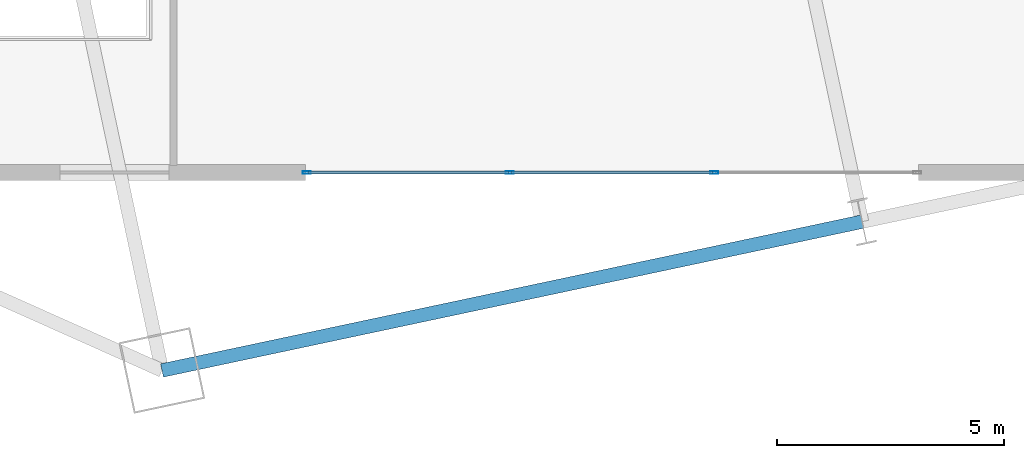
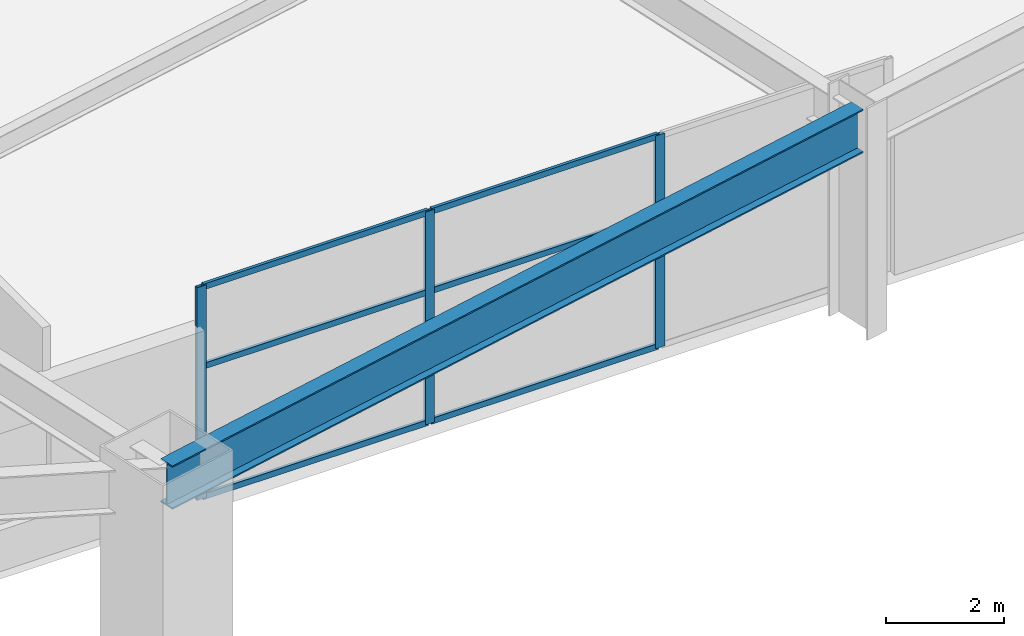
# One storey, part 10 of 30: 9 members, 1 beam, 1 element without a shape of its own.
"""IFC4 building model written with IfcOpenShell, lengths in metres."""

import ifcopenshell
import ifcopenshell.guid

model = None  # the IFC model being written
_history = None  # IfcOwnerHistory: only IFC2X3 demands one
_inside = {}  # id of a spatial element -> (the spatial element, [elements in it])
_under = {}  # id of a project, library or spatial element -> (it, [spatial elements below it])
_declared = {}  # id of a project -> (the project, [libraries it declares])
_typed = {}  # id of a type object -> (the type object, [elements of that type])
_made_of = {}  # id of a material, layer set ... -> (it, [elements and type objects made of it])


def new_model(schema):
    """Start an empty IFC model of exactly this schema.

    Asked for "IFC4X3", IfcOpenShell would pick the latest addendum, in which some entities
    have other attributes; the version numbers below select the first issue.
    IFC2X3 requires an IfcOwnerHistory on every rooted entity: one is made here for all.
    """
    global model, _history
    if schema == "IFC4X3":
        model = ifcopenshell.file(schema_version=(4, 3, 0, 0))
    else:
        model = ifcopenshell.file(schema=schema)
    _inside.clear()
    _under.clear()
    _declared.clear()
    _typed.clear()
    _made_of.clear()
    _history = None
    if model.schema == "IFC2X3":
        org = make("IfcOrganization", Name="unknown")
        user = make(
            "IfcPersonAndOrganization",
            ThePerson=make("IfcPerson", FamilyName="unknown"),
            TheOrganization=org,
        )
        app = make(
            "IfcApplication",
            ApplicationDeveloper=org,
            Version="unknown",
            ApplicationFullName="unknown",
            ApplicationIdentifier="unknown",
        )
        _history = make(
            "IfcOwnerHistory",
            OwningUser=user,
            OwningApplication=app,
            ChangeAction="ADDED",
            CreationDate=0,
        )
    return model


def make(cls, **values):
    """One entity of the class cls with the attributes given. An attribute that is None is left unset."""
    return model.create_entity(
        cls, **{name: value for name, value in values.items() if value is not None}
    )


def rooted(cls, **values):
    """An entity with a GlobalId (a new one), such as an element, a storey or a relation."""
    return make(cls, GlobalId=ifcopenshell.guid.new(), OwnerHistory=_history, **values)


def si_unit(unit_type, name, prefix=None):
    """IfcSIUnit, for example si_unit("LENGTHUNIT", "METRE", prefix="MILLI")."""
    return make("IfcSIUnit", UnitType=unit_type, Prefix=prefix, Name=name)


def assignment(units):
    """IfcUnitAssignment: the units of a project."""
    return None if units is None else make("IfcUnitAssignment", Units=units)


def point(xyz):
    """IfcCartesianPoint."""
    return None if xyz is None else make("IfcCartesianPoint", Coordinates=xyz)


def direction(xyz):
    """IfcDirection."""
    return None if xyz is None else make("IfcDirection", DirectionRatios=xyz)


def frame(location, z_axis=None, x_axis=None):
    """IfcAxis2Placement3D, a coordinate frame: its origin and axes. An axis left out is left unset."""
    return make(
        "IfcAxis2Placement3D",
        Location=point(location),
        Axis=direction(z_axis),
        RefDirection=direction(x_axis),
    )


def frame_2d(location, x_axis=None):
    """IfcAxis2Placement2D, a coordinate frame in the plane: its origin and x axis."""
    return make(
        "IfcAxis2Placement2D", Location=point(location), RefDirection=direction(x_axis)
    )


def origin():
    """The frame at (0, 0, 0) with its axes left unset."""
    return frame((0.0, 0.0, 0.0))


def origin_2d():
    """The frame at (0, 0) in the plane with its x axis left unset."""
    return frame_2d((0.0, 0.0))


def place(relative_to, where):
    """IfcLocalPlacement: puts the frame where relative to a parent placement (None: the world)."""
    return make(
        "IfcLocalPlacement", PlacementRelTo=relative_to, RelativePlacement=where
    )


def context(
    kind, dimensions, precision=None, world=None, true_north=None, identifier=None
):
    """IfcGeometricRepresentationContext, for example the 3D "Model" context."""
    return make(
        "IfcGeometricRepresentationContext",
        ContextIdentifier=identifier,
        ContextType=kind,
        CoordinateSpaceDimension=dimensions,
        Precision=precision,
        WorldCoordinateSystem=world,
        TrueNorth=true_north,
    )


def subcontext(parent, identifier, kind, view, scale=None):
    """IfcGeometricRepresentationSubContext, for example "Body" below "Model"."""
    return make(
        "IfcGeometricRepresentationSubContext",
        ContextIdentifier=identifier,
        ContextType=kind,
        ParentContext=parent,
        TargetScale=scale,
        TargetView=view,
    )


def project(units=None, contexts=None):
    """IfcProject with its units and contexts."""
    return rooted(
        "IfcProject",
        Name="project",
        RepresentationContexts=contexts,
        UnitsInContext=assignment(units),
    )


def spatial(cls, under=None, at=None, **own):
    """A site, building, storey or space (cls), placed at a placement, below another one or the project."""
    s = rooted(cls, ObjectPlacement=at, **own)
    if under is not None:
        _under.setdefault(under.id(), (under, []))[1].append(s)
    return s


def profile(cls, at=None, kind="AREA", **sizes):
    """A parametric profile (cls). Its sizes go by their IFC names, for example OverallWidth=200.0."""
    return make(cls, ProfileType=kind, Position=at, **sizes)


def hollow_rectangle(**sizes):
    """IfcRectangleHollowProfileDef."""
    return profile("IfcRectangleHollowProfileDef", **sizes)


def i_section(**sizes):
    """IfcIShapeProfileDef."""
    return profile("IfcIShapeProfileDef", **sizes)


def extrude(swept, where, along, depth):
    """IfcExtrudedAreaSolid: the profile swept, set in the frame where, extruded along a direction by depth."""
    return make(
        "IfcExtrudedAreaSolid",
        SweptArea=swept,
        Position=where,
        ExtrudedDirection=direction(along),
        Depth=depth,
    )


def shape(context_of_items, identifier, shape_type, items):
    """IfcShapeRepresentation: the items that make up one representation, for example the "Body"."""
    return make(
        "IfcShapeRepresentation",
        ContextOfItems=context_of_items,
        RepresentationIdentifier=identifier,
        RepresentationType=shape_type,
        Items=items,
    )


def material(Name=None, Category=None):
    """IfcMaterial."""
    return make("IfcMaterial", Name=Name, Category=Category)


def layer(
    of_material, thickness, ventilated=None, Name=None, Category=None, Priority=None
):
    """IfcMaterialLayer: one layer of a wall or slab, of a material (None: an air gap)."""
    return make(
        "IfcMaterialLayer",
        Material=of_material,
        LayerThickness=thickness,
        IsVentilated=ventilated,
        Name=Name,
        Category=Category,
        Priority=Priority,
    )


def layer_set(layers, Name=None):
    """IfcMaterialLayerSet."""
    return make("IfcMaterialLayerSet", MaterialLayers=layers, LayerSetName=Name)


def material_profile(
    of_material, cross_section, Name=None, Category=None, Priority=None
):
    """IfcMaterialProfile: a cross section and its material."""
    return make(
        "IfcMaterialProfile",
        Name=Name,
        Material=of_material,
        Profile=cross_section,
        Priority=Priority,
        Category=Category,
    )


def profile_set(profiles, Name=None, composite=None):
    """IfcMaterialProfileSet."""
    return make(
        "IfcMaterialProfileSet",
        Name=Name,
        MaterialProfiles=profiles,
        CompositeProfile=composite,
    )


def made_of(thing, what):
    """Note that an element or type object is made of a material, layer set ...; save() writes the relation."""
    if what is not None:
        _made_of.setdefault(what.id(), (what, []))[1].append(thing)
    return thing


def type_object(cls, material=None, **own):
    """A type object (cls), such as IfcWallType, which elements share."""
    return made_of(rooted(cls, **own), material)


def element(
    cls,
    number,
    at=None,
    inside=None,
    cuts=None,
    type_object=None,
    material=None,
    context=None,
    identifier="Body",
    shape_type=None,
    held_by="IfcProductDefinitionShape",
    body=None,
    shapes=None,
    **own,
):
    """One element of the class cls, such as IfcWall. Its Tag is "e" and its number.

    at: its placement. inside: the storey or other place that contains it. cuts: it is an
    opening in that element (IfcRelVoidsElement). A single representation is given by context,
    identifier, shape_type and body (its items); several are given by shapes. held_by: the class
    of the entity that holds the representations. save() writes the other relations.
    """
    e = rooted(cls, Tag="e%d" % number, ObjectPlacement=at, **own)
    if body is not None:
        shapes = [shape(context, identifier, shape_type, body)]
    if shapes is not None:
        e.Representation = make(held_by, Representations=shapes)
    if inside is not None:
        _inside.setdefault(inside.id(), (inside, []))[1].append(e)
    if cuts is not None:
        rooted(
            "IfcRelVoidsElement", RelatingBuildingElement=cuts, RelatedOpeningElement=e
        )
    if type_object is not None:
        _typed.setdefault(type_object.id(), (type_object, []))[1].append(e)
    return made_of(e, material)


def aggregate(whole, parts):
    """IfcRelAggregates: a whole, such as a stair, and the parts it consists of."""
    return rooted("IfcRelAggregates", RelatingObject=whole, RelatedObjects=parts)


def save(model, path):
    """Write the relations noted so far, then the file.

    IfcRelAggregates (storeys below a building ...), IfcRelContainedInSpatialStructure (elements
    in a storey), IfcRelDefinesByType, IfcRelAssociatesMaterial and IfcRelDeclares: one each for
    every whole, place, type object, material and project.
    """
    for whole, parts in _under.values():
        aggregate(whole, parts)
    for where, things in _inside.values():
        rooted(
            "IfcRelContainedInSpatialStructure",
            RelatedElements=things,
            RelatingStructure=where,
        )
    for kind, things in _typed.values():
        rooted("IfcRelDefinesByType", RelatedObjects=things, RelatingType=kind)
    for what, things in _made_of.values():
        rooted("IfcRelAssociatesMaterial", RelatedObjects=things, RelatingMaterial=what)
    for by, libraries in _declared.values():
        rooted("IfcRelDeclares", RelatingContext=by, RelatedDefinitions=libraries)
    model.write(path)


model = new_model("IFC4")

# Units and contexts
model_context = context("Model", 3, precision=1e-05, world=origin(), true_north=direction((0.0, 1.0)))
body_context = subcontext(model_context, "Body", "Model", "MODEL_VIEW")
ifc_project = project(units=[si_unit("LENGTHUNIT", "METRE"), si_unit("AREAUNIT", "SQUARE_METRE"), si_unit("VOLUMEUNIT", "CUBIC_METRE"), si_unit("PLANEANGLEUNIT", "RADIAN"), si_unit("MASSUNIT", "GRAM", prefix="KILO")], contexts=[model_context])

# Site, building, storey
site_placement = place(None, origin())
site = spatial("IfcSite", under=ifc_project, at=site_placement, CompositionType="ELEMENT")
building_placement = place(site_placement, origin())
building = spatial("IfcBuilding", under=site, at=building_placement, Name="Haevon Station Towers", CompositionType="ELEMENT")
storey_placement = place(building_placement, frame((0.0, 0.0, 15.60009765625)))
storey = spatial("IfcBuildingStorey", under=building, at=storey_placement, Name="L03", CompositionType="ELEMENT", Elevation=15.60009765625)

# Beam
ifc_material_1 = material(Name="Steel S355", Category="steel")
ifc_material_profile_1 = material_profile(ifc_material_1, i_section(OverallWidth=0.300048828125, OverallDepth=0.89990234375, WebThickness=0.01611328125, FlangeThickness=0.028076171875, at=origin_2d()), Name="H-900x300x16x28")
ifc_profile_set_1 = profile_set([ifc_material_profile_1], Name="Steel S355")
beam_type = type_object("IfcBeamType", Name="BM-PG900", PredefinedType="BEAM", material=ifc_profile_set_1)
beam_placement = place(storey_placement, frame((88.346923828125, 10.643310546875, 4.0498046875), z_axis=(0.978146794194, 0.207915485254, 0.0), x_axis=(-0.207915485254, 0.978146794194, 0.0)))
element("IfcBeam", 1, at=beam_placement, inside=storey, type_object=beam_type, Name="BM-T2U-L03-01-01", PredefinedType="BEAM", context=body_context, shape_type="SweptSolid", body=[
    extrude(i_section(OverallWidth=0.300048828125, OverallDepth=0.89990234375, WebThickness=0.01611328125, FlangeThickness=0.028076171875, at=origin_2d()), origin(), (0.0, 0.0, 1.0), 15.75),
])

# Curtain wall, members
ifc_material_2 = material(Name="Anodised aluminium and Low-E double glazing", Category="aluminium")
ifc_layer = layer(ifc_material_2, 0.179931640625)
ifc_layer_set = layer_set([ifc_layer], Name="Anodised aluminium and Low-E double glazing")
curtain_wall_type = type_object("IfcCurtainWallType", Name="CW-SYS2", PredefinedType="NOTDEFINED", material=ifc_layer_set)
curtain_wall_placement = place(storey_placement, origin())
curtain_wall = element("IfcCurtainWall", 2, at=curtain_wall_placement, inside=storey, type_object=curtain_wall_type, Name="L03 Curtain Wall CW-POD-L03-S1", PredefinedType="NOTDEFINED")
ifc_material_3 = material(Name="Anodised aluminium 6063-T6", Category="aluminium")
ifc_material_profile_2 = material_profile(ifc_material_3, hollow_rectangle(XDim=0.06494140625, YDim=0.179931640625, WallThickness=0.00390625, at=origin_2d()), Name="CWM-180x65x4")
ifc_profile_set_2 = profile_set([ifc_material_profile_2], Name="Anodised aluminium 6063-T6")
member_type_1 = type_object("IfcMemberType", Name="CWM-180", PredefinedType="MULLION", material=ifc_profile_set_2)
member_1_placement = place(storey_placement, frame((100.5, 15.0, 0.0), z_axis=(0.0, 0.0, 1.0), x_axis=(0.0, -1.0, 0.0)))
member_1 = element("IfcMember", 3, at=member_1_placement, type_object=member_type_1, Name="CW-SYS2 mullion 2", PredefinedType="MULLION", context=body_context, shape_type="SweptSolid", body=[
    extrude(hollow_rectangle(XDim=0.06494140625, YDim=0.179931640625, WallThickness=0.00390625, at=origin_2d()), origin(), (0.0, 0.0, 1.0), 4.39990234375),
])
member_2_placement = place(storey_placement, frame((96.0, 15.0, 0.0), z_axis=(0.0, 0.0, 1.0), x_axis=(0.0, -1.0, 0.0)))
member_2 = element("IfcMember", 4, at=member_2_placement, type_object=member_type_1, Name="CW-SYS2 mullion 3", PredefinedType="MULLION", context=body_context, shape_type="SweptSolid", body=[
    extrude(hollow_rectangle(XDim=0.06494140625, YDim=0.179931640625, WallThickness=0.00390625, at=origin_2d()), origin(), (0.0, 0.0, 1.0), 4.39990234375),
])
member_3_placement = place(storey_placement, frame((91.532470703125, 15.0, 0.0), z_axis=(0.0, 0.0, 1.0), x_axis=(0.0, -1.0, 0.0)))
member_3 = element("IfcMember", 5, at=member_3_placement, type_object=member_type_1, Name="CW-SYS2 mullion 4", PredefinedType="MULLION", context=body_context, shape_type="SweptSolid", body=[
    extrude(hollow_rectangle(XDim=0.06494140625, YDim=0.179931640625, WallThickness=0.00390625, at=origin_2d()), origin(), (0.0, 0.0, 1.0), 4.39990234375),
])
ifc_material_profile_3 = material_profile(ifc_material_3, hollow_rectangle(XDim=0.06005859375, YDim=0.1201171875, WallThickness=0.0029296875, at=origin_2d()), Name="CWT-120x60x3")
ifc_profile_set_3 = profile_set([ifc_material_profile_3], Name="Anodised aluminium 6063-T6")
member_type_2 = type_object("IfcMemberType", Name="CWT-120", PredefinedType="USERDEFINED", material=ifc_profile_set_3)
member_4_placement = place(storey_placement, frame((100.467529296875, 15.0, 0.02978515625), z_axis=(-1.0, 0.0, 0.0), x_axis=(0.0, -1.0, 0.0)))
member_4 = element("IfcMember", 6, at=member_4_placement, type_object=member_type_2, Name="CW-SYS2 transom 2.1", ObjectType="TRANSOM", PredefinedType="USERDEFINED", context=body_context, shape_type="SweptSolid", body=[
    extrude(hollow_rectangle(XDim=0.06005859375, YDim=0.1201171875, WallThickness=0.0029296875, at=origin_2d()), origin(), (0.0, 0.0, 1.0), 4.43505859375),
])
member_5_placement = place(storey_placement, frame((100.467529296875, 15.0, 2.727783203125), z_axis=(-1.0, 0.0, 0.0), x_axis=(0.0, -1.0, 0.0)))
member_5 = element("IfcMember", 7, at=member_5_placement, type_object=member_type_2, Name="CW-SYS2 transom 2.2", ObjectType="TRANSOM", PredefinedType="USERDEFINED", context=body_context, shape_type="SweptSolid", body=[
    extrude(hollow_rectangle(XDim=0.06005859375, YDim=0.1201171875, WallThickness=0.0029296875, at=origin_2d()), origin(), (0.0, 0.0, 1.0), 4.43505859375),
])
member_6_placement = place(storey_placement, frame((100.467529296875, 15.0, 4.369873046875), z_axis=(-1.0, 0.0, 0.0), x_axis=(0.0, -1.0, 0.0)))
member_6 = element("IfcMember", 8, at=member_6_placement, type_object=member_type_2, Name="CW-SYS2 transom 2.3", ObjectType="TRANSOM", PredefinedType="USERDEFINED", context=body_context, shape_type="SweptSolid", body=[
    extrude(hollow_rectangle(XDim=0.06005859375, YDim=0.1201171875, WallThickness=0.0029296875, at=origin_2d()), origin(), (0.0, 0.0, 1.0), 4.43505859375),
])
member_7_placement = place(storey_placement, frame((95.967529296875, 15.0, 0.02978515625), z_axis=(-1.0, 0.0, 0.0), x_axis=(0.0, -1.0, 0.0)))
member_7 = element("IfcMember", 9, at=member_7_placement, type_object=member_type_2, Name="CW-SYS2 transom 3.1", ObjectType="TRANSOM", PredefinedType="USERDEFINED", context=body_context, shape_type="SweptSolid", body=[
    extrude(hollow_rectangle(XDim=0.06005859375, YDim=0.1201171875, WallThickness=0.0029296875, at=origin_2d()), origin(), (0.0, 0.0, 1.0), 4.402587890625),
])
member_8_placement = place(storey_placement, frame((95.967529296875, 15.0, 2.727783203125), z_axis=(-1.0, 0.0, 0.0), x_axis=(0.0, -1.0, 0.0)))
member_8 = element("IfcMember", 10, at=member_8_placement, type_object=member_type_2, Name="CW-SYS2 transom 3.2", ObjectType="TRANSOM", PredefinedType="USERDEFINED", context=body_context, shape_type="SweptSolid", body=[
    extrude(hollow_rectangle(XDim=0.06005859375, YDim=0.1201171875, WallThickness=0.0029296875, at=origin_2d()), origin(), (0.0, 0.0, 1.0), 4.402587890625),
])
member_9_placement = place(storey_placement, frame((95.967529296875, 15.0, 4.369873046875), z_axis=(-1.0, 0.0, 0.0), x_axis=(0.0, -1.0, 0.0)))
member_9 = element("IfcMember", 11, at=member_9_placement, type_object=member_type_2, Name="CW-SYS2 transom 3.3", ObjectType="TRANSOM", PredefinedType="USERDEFINED", context=body_context, shape_type="SweptSolid", body=[
    extrude(hollow_rectangle(XDim=0.06005859375, YDim=0.1201171875, WallThickness=0.0029296875, at=origin_2d()), origin(), (0.0, 0.0, 1.0), 4.402587890625),
])
aggregate(curtain_wall, [member_1, member_2, member_3, member_4, member_5, member_6, member_7, member_8, member_9])

save(model, "model.ifc")
